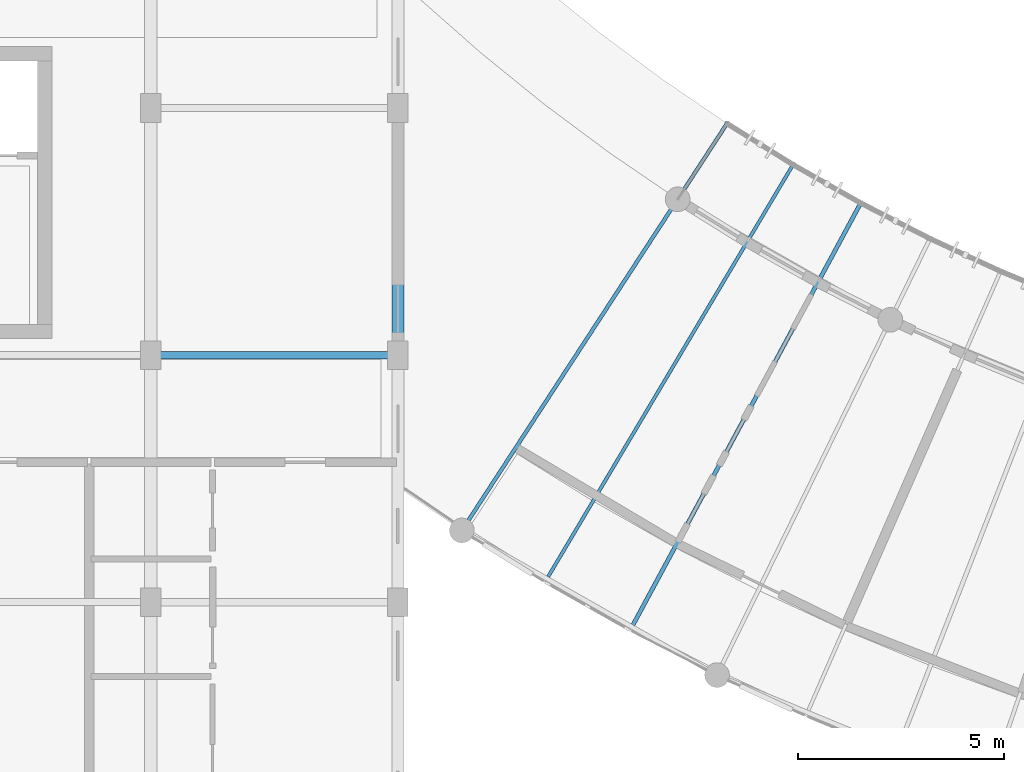
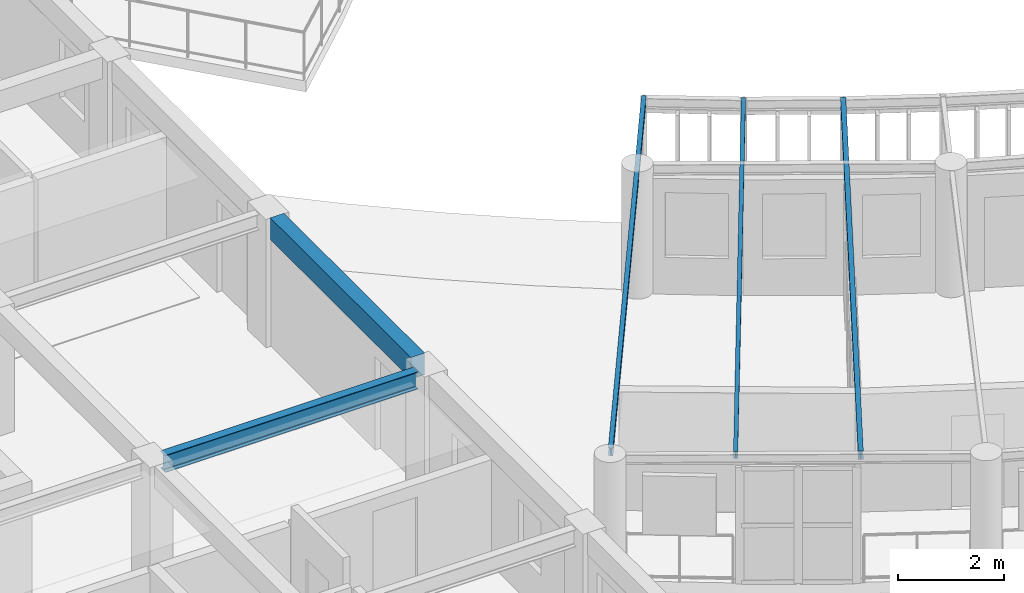
# One storey, part 6 of 101: 5 beams.
"""IFC4 building model written with IfcOpenShell, lengths in metres."""

from ifc_helpers import new_model, si_unit, direction, frame, origin, origin_2d, place, context, subcontext, project, spatial, rectangle, i_section, extrude, material, material_profile, profile_set, type_object, element, save


model = new_model("IFC4")

# Units and contexts
model_context = context("Model", 3, precision=1e-05, world=origin(), true_north=direction((0.0, 1.0)))
body_context = subcontext(model_context, "Body", "Model", "MODEL_VIEW")
ifc_project = project(units=[si_unit("LENGTHUNIT", "METRE"), si_unit("AREAUNIT", "SQUARE_METRE"), si_unit("VOLUMEUNIT", "CUBIC_METRE"), si_unit("PLANEANGLEUNIT", "RADIAN"), si_unit("MASSUNIT", "GRAM", prefix="KILO"), si_unit("POWERUNIT", "WATT"), si_unit("THERMODYNAMICTEMPERATUREUNIT", "KELVIN")], contexts=[model_context])

# Site, building, storey
site_placement = place(None, origin())
site = spatial("IfcSite", under=ifc_project, at=site_placement, CompositionType="ELEMENT")
building_placement = place(site_placement, origin())
building = spatial("IfcBuilding", under=site, at=building_placement, Name="Ruvembo Vaulted Housing Court", CompositionType="ELEMENT")
storey_placement = place(building_placement, frame((0.0, 0.0, 17.300048828125)))
storey = spatial("IfcBuildingStorey", under=building, at=storey_placement, Name="L05", CompositionType="ELEMENT", Elevation=17.300048828125)

# Beams
ifc_material_1 = material(Name="Steel S355J2", Category="steel")
ifc_material_profile_1 = material_profile(ifc_material_1, i_section(OverallWidth=0.08203125, OverallDepth=0.159912109375, WebThickness=0.0048828125, FlangeThickness=0.00732421875, FilletRadius=0.009033203125, at=origin_2d()), Name="IPE 160")
ifc_profile_set_1 = profile_set([ifc_material_profile_1], Name="Steel S355J2")
beam_type_1 = type_object("IfcBeamType", Name="BM-ST-IPE160", PredefinedType="JOIST", material=ifc_profile_set_1)
beam_1_placement = place(storey_placement, frame((39.644775390625, 12.61376953125, 2.85205078125), z_axis=(0.51095697622, 0.859606286885, 0.0), x_axis=(-0.859606286885, 0.51095697622, 0.0)))
element("IfcBeam", 1, at=beam_1_placement, inside=storey, type_object=beam_type_1, Name="Scoop SC2 L05 Radial Steel Joist 1", PredefinedType="JOIST", context=body_context, shape_type="SweptSolid", body=[
    extrude(i_section(OverallWidth=0.08203125, OverallDepth=0.159912109375, WebThickness=0.0048828125, FlangeThickness=0.00732421875, FilletRadius=0.009033203125, at=origin_2d()), origin(), (0.0, 0.0, 1.0), 11.692138671875),
])
ifc_material_profile_2 = material_profile(ifc_material_1, i_section(OverallWidth=0.091064453125, OverallDepth=0.179931640625, WebThickness=0.00537109375, FlangeThickness=0.008056640625, FilletRadius=0.009033203125, at=origin_2d()), Name="IPE 180")
ifc_profile_set_2 = profile_set([ifc_material_profile_2], Name="Steel S355J2")
beam_type_2 = type_object("IfcBeamType", Name="BM-ST-IPE180", PredefinedType="JOIST", material=ifc_profile_set_2)
beam_2_placement = place(storey_placement, frame((37.656005859375, 13.901611328125, 2.842041015625), z_axis=(0.545955148069, 0.837814404446, 0.0), x_axis=(-0.837814404446, 0.545955148069, 0.0)))
element("IfcBeam", 2, at=beam_2_placement, inside=storey, type_object=beam_type_2, Name="Scoop SC2 L05 Radial Steel Joist 0", PredefinedType="JOIST", context=body_context, shape_type="SweptSolid", body=[
    extrude(i_section(OverallWidth=0.091064453125, OverallDepth=0.179931640625, WebThickness=0.00537109375, FlangeThickness=0.008056640625, FilletRadius=0.009033203125, at=origin_2d()), origin(), (0.0, 0.0, 1.0), 11.64990234375),
])
ifc_material_profile_3 = material_profile(ifc_material_1, i_section(OverallWidth=0.10009765625, OverallDepth=0.199951171875, WebThickness=0.005615234375, FlangeThickness=0.008544921875, FilletRadius=0.011962890625, at=origin_2d()), Name="IPE 200")
ifc_profile_set_3 = profile_set([ifc_material_profile_3], Name="Steel S355J2")
beam_type_3 = type_object("IfcBeamType", Name="BM-ST-IPE200", PredefinedType="BEAM", material=ifc_profile_set_3)
beam_3_placement = place(storey_placement, frame((41.70654296875, 11.445068359375, 2.83203125), z_axis=(0.475065815037, 0.879950266426, 0.0), x_axis=(-0.879950266426, 0.475065815037, 0.0)))
element("IfcBeam", 3, at=beam_3_placement, inside=storey, type_object=beam_type_3, Name="Scoop SC2 L05 Radial Steel Joist 2", PredefinedType="BEAM", context=body_context, shape_type="SweptSolid", body=[
    extrude(i_section(OverallWidth=0.10009765625, OverallDepth=0.199951171875, WebThickness=0.005615234375, FlangeThickness=0.008544921875, FilletRadius=0.011962890625, at=origin_2d()), origin(), (0.0, 0.0, 1.0), 11.69189453125),
])
ifc_material_profile_4 = material_profile(ifc_material_1, i_section(OverallWidth=0.179931640625, OverallDepth=0.39990234375, WebThickness=0.008544921875, FlangeThickness=0.013427734375, FilletRadius=0.02099609375, at=origin_2d()), Name="IPE 400")
ifc_profile_set_4 = profile_set([ifc_material_profile_4], Name="Steel S355J2")
beam_type_4 = type_object("IfcBeamType", Name="BM-ST-IPE400", PredefinedType="BEAM", material=ifc_profile_set_4)
beam_4_placement = place(storey_placement, frame((30.235107421875, 18.0, 2.725830078125), z_axis=(1.0, 0.0, 0.0), x_axis=(0.0, 1.0, 0.0)))
element("IfcBeam", 4, at=beam_4_placement, inside=storey, type_object=beam_type_4, Name="L05 Grid Beam X #2320", PredefinedType="BEAM", context=body_context, shape_type="SweptSolid", body=[
    extrude(i_section(OverallWidth=0.179931640625, OverallDepth=0.39990234375, WebThickness=0.008544921875, FlangeThickness=0.013427734375, FilletRadius=0.02099609375, at=origin_2d()), origin(), (0.0, 0.0, 1.0), 5.52978515625),
])
ifc_material_2 = material(Name="Concrete C35/45", Category="concrete")
ifc_material_profile_5 = material_profile(ifc_material_2, rectangle(XDim=0.300048828125, YDim=0.5, at=origin_2d()), Name="RC 300x500")
ifc_profile_set_5 = profile_set([ifc_material_profile_5], Name="Concrete C35/45")
beam_type_5 = type_object("IfcBeamType", Name="SP-RC-300x500", PredefinedType="SPANDREL", material=ifc_profile_set_5)
beam_5_placement = place(storey_placement, frame((36.0, 18.3349609375, 2.71484375), z_axis=(0.0, 1.0, 0.0), x_axis=(-1.0, 0.0, 0.0)))
element("IfcBeam", 5, at=beam_5_placement, inside=storey, type_object=beam_type_5, Name="L05 Grid Beam Y #2452", PredefinedType="SPANDREL", context=body_context, shape_type="SweptSolid", body=[
    extrude(rectangle(XDim=0.300048828125, YDim=0.5, at=origin_2d()), origin(), (0.0, 0.0, 1.0), 5.330078125),
])

save(model, "model.ifc")
